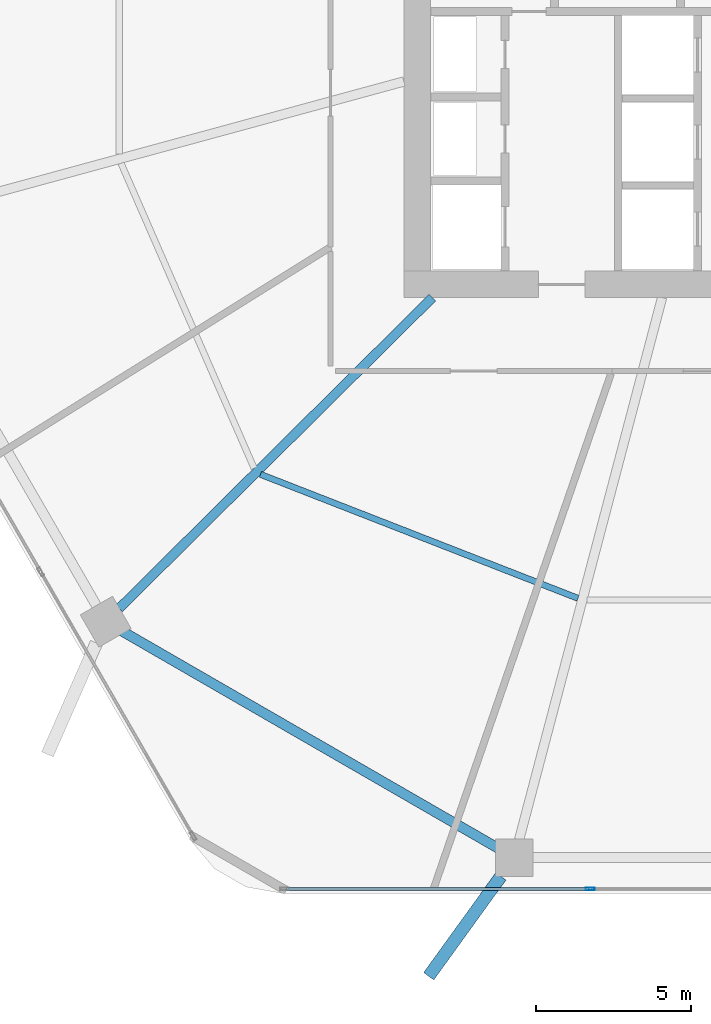
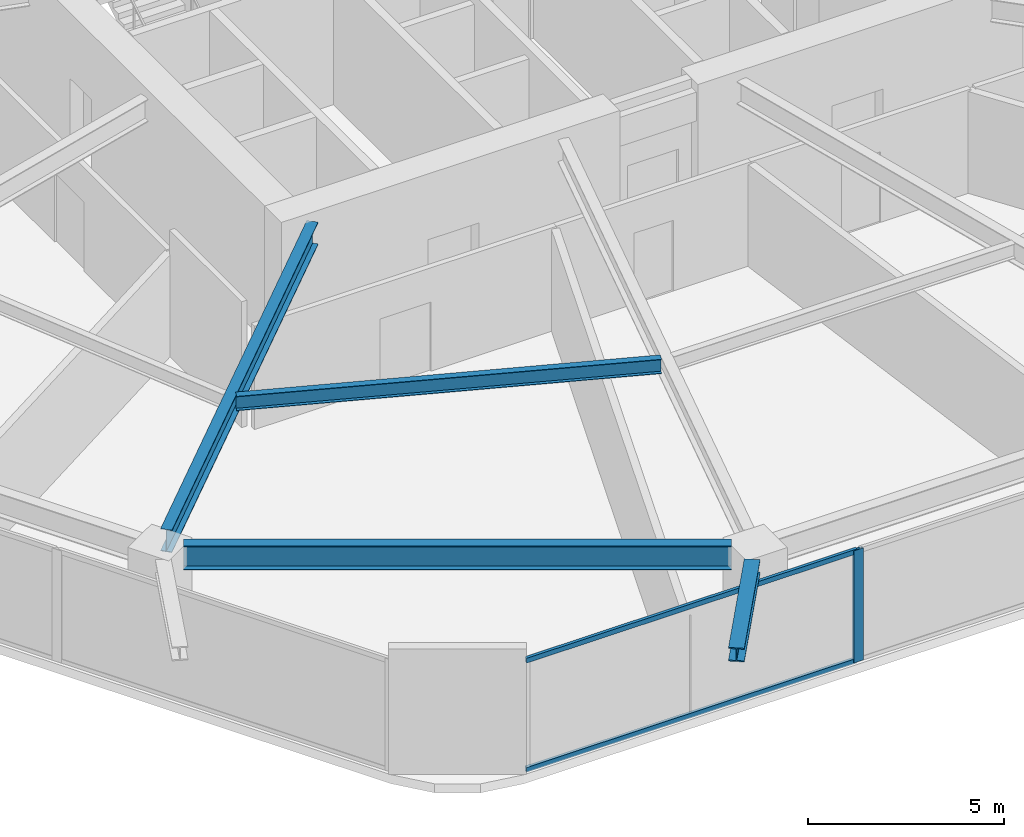
# One storey, part 3 of 25: 4 beams, 3 members, 1 element without a shape of its own.
"""IFC4 building model written with IfcOpenShell, lengths in metres."""

from ifc_helpers import new_model, si_unit, direction, frame, origin, origin_2d, place, context, subcontext, project, spatial, hollow_rectangle, i_section, extrude, material, material_profile, profile_set, type_object, element, aggregate, save


model = new_model("IFC4")

# Units and contexts
model_context = context("Model", 3, precision=1e-05, world=origin(), true_north=direction((0.0, 1.0)))
body_context = subcontext(model_context, "Body", "Model", "MODEL_VIEW")
ifc_project = project(units=[si_unit("LENGTHUNIT", "METRE"), si_unit("AREAUNIT", "SQUARE_METRE"), si_unit("VOLUMEUNIT", "CUBIC_METRE"), si_unit("PLANEANGLEUNIT", "RADIAN"), si_unit("MASSUNIT", "GRAM", prefix="KILO")], contexts=[model_context])

# Site, building, storey
site_placement = place(None, origin())
site = spatial("IfcSite", under=ifc_project, at=site_placement, CompositionType="ELEMENT")
building_placement = place(site_placement, origin())
building = spatial("IfcBuilding", under=site, at=building_placement, Name="Zuhravey Tower", CompositionType="ELEMENT")
storey_placement = place(building_placement, frame((0.0, 0.0, 20.39990234375)))
storey = spatial("IfcBuildingStorey", under=building, at=storey_placement, Name="L05", CompositionType="ELEMENT", Elevation=20.39990234375)

# Curtain wall, members
ifc_material_1 = material(Name="Thermally broken anodised aluminium", Category="aluminium")
curtain_wall_type = type_object("IfcCurtainWallType", Name="School Low-E Unitised Curtain Wall CW1", PredefinedType="NOTDEFINED", material=ifc_material_1)
curtain_wall_placement = place(storey_placement, origin())
curtain_wall = element("IfcCurtainWall", 1, at=curtain_wall_placement, inside=storey, type_object=curtain_wall_type, Name="L05 CW1 CW-L05-F5-1", PredefinedType="NOTDEFINED")
ifc_material_2 = material(Name="Anodised aluminium", Category="aluminium")
ifc_material_profile_1 = material_profile(ifc_material_2, hollow_rectangle(XDim=0.090087890625, YDim=0.284912109375, WallThickness=0.0048828125, at=origin_2d()), Name="ALU-RHS-90x285x5")
ifc_profile_set_1 = profile_set([ifc_material_profile_1], Name="Anodised aluminium")
member_type_1 = type_object("IfcMemberType", Name="Curtain-Wall Mullion 90x180", PredefinedType="MULLION", material=ifc_profile_set_1)
member_1_placement = place(storey_placement, frame((31.06689453125, 3.04150390625, 0.0), z_axis=(0.0, 0.0, 1.0), x_axis=(0.0, -1.0, 0.0)))
member_1 = element("IfcMember", 2, at=member_1_placement, type_object=member_type_1, Name="CW1 mullion 3", PredefinedType="MULLION", context=body_context, shape_type="SweptSolid", body=[
    extrude(hollow_rectangle(XDim=0.090087890625, YDim=0.284912109375, WallThickness=0.0048828125, at=origin_2d()), origin(), (0.0, 0.0, 1.0), 3.4921875),
])
ifc_material_profile_2 = material_profile(ifc_material_2, hollow_rectangle(XDim=0.090087890625, YDim=0.14990234375, WallThickness=0.0048828125, at=origin_2d()), Name="ALU-RHS-90x150x5")
ifc_profile_set_2 = profile_set([ifc_material_profile_2], Name="Anodised aluminium")
member_type_2 = type_object("IfcMemberType", Name="Curtain-Wall Transom 90x150", PredefinedType="USERDEFINED", material=ifc_profile_set_2)
member_2_placement = place(storey_placement, frame((31.021728515625, 3.04150390625, 0.045166015625), z_axis=(-1.0, 0.0, 0.0), x_axis=(0.0, -1.0, 0.0)))
member_2 = element("IfcMember", 3, at=member_2_placement, type_object=member_type_2, Name="CW1 transom 3.1", ObjectType="TRANSOM", PredefinedType="USERDEFINED", context=body_context, shape_type="SweptSolid", body=[
    extrude(hollow_rectangle(XDim=0.090087890625, YDim=0.14990234375, WallThickness=0.0048828125, at=origin_2d()), origin(), (0.0, 0.0, 1.0), 9.731201171875),
])
member_3_placement = place(storey_placement, frame((31.021728515625, 3.04150390625, 3.447021484375), z_axis=(-1.0, 0.0, 0.0), x_axis=(0.0, -1.0, 0.0)))
member_3 = element("IfcMember", 4, at=member_3_placement, type_object=member_type_2, Name="CW1 transom 3.2", ObjectType="TRANSOM", PredefinedType="USERDEFINED", context=body_context, shape_type="SweptSolid", body=[
    extrude(hollow_rectangle(XDim=0.090087890625, YDim=0.14990234375, WallThickness=0.0048828125, at=origin_2d()), origin(), (0.0, 0.0, 1.0), 9.731201171875),
])
aggregate(curtain_wall, [member_1, member_2, member_3])

# Beams
ifc_material_3 = material(Name="Steel SM460", Category="steel")
ifc_material_profile_3 = material_profile(ifc_material_3, i_section(OverallWidth=0.406982421875, OverallDepth=0.427978515625, WebThickness=0.02001953125, FlangeThickness=0.034912109375, at=origin_2d()), Name="H-428x407x20x35")
ifc_profile_set_3 = profile_set([ifc_material_profile_3], Name="Steel SM460")
beam_type_1 = type_object("IfcBeamType", Name="Exoskeleton Node Tie Beam H428x407", PredefinedType="BEAM", material=ifc_profile_set_3)
beam_1_placement = place(storey_placement, frame((28.1943359375, 3.4482421875, 3.7060546875), z_axis=(-0.585591698188, -0.810606170105, 0.0), x_axis=(0.810606170105, -0.585591698188, 0.0)))
element("IfcBeam", 5, at=beam_1_placement, inside=storey, type_object=beam_type_1, Name="L05 Exoskeleton Node Tie NT1-09", PredefinedType="BEAM", context=body_context, shape_type="SweptSolid", body=[
    extrude(i_section(OverallWidth=0.406982421875, OverallDepth=0.427978515625, WebThickness=0.02001953125, FlangeThickness=0.034912109375, at=origin_2d()), origin(), (0.0, 0.0, 1.0), 3.965576171875),
])
ifc_material_4 = material(Name="Steel SM355", Category="steel")
ifc_material_profile_4 = material_profile(ifc_material_4, i_section(OverallWidth=0.320068359375, OverallDepth=0.75, WebThickness=0.013916015625, FlangeThickness=0.02490234375, at=origin_2d()), Name="H-750x320x14x25")
ifc_profile_set_4 = profile_set([ifc_material_profile_4], Name="Steel SM355")
beam_type_2 = type_object("IfcBeamType", Name="Perimeter Ring Beam H750x320", PredefinedType="BEAM", material=ifc_profile_set_4)
beam_2_placement = place(storey_placement, frame((16.003173828125, 11.341552734375, 3.545166015625), z_axis=(0.866029969761, -0.499992091414, 0.0), x_axis=(0.499992091414, 0.866029969761, 0.0)))
element("IfcBeam", 6, at=beam_2_placement, inside=storey, type_object=beam_type_2, Name="L05 PB1 BM-L05-PB-08", PredefinedType="BEAM", context=body_context, shape_type="SweptSolid", body=[
    extrude(i_section(OverallWidth=0.320068359375, OverallDepth=0.75, WebThickness=0.013916015625, FlangeThickness=0.02490234375, at=origin_2d()), origin(), (0.0, 0.0, 1.0), 13.977294921875),
])
ifc_material_profile_5 = material_profile(ifc_material_4, i_section(OverallWidth=0.300048828125, OverallDepth=0.699951171875, WebThickness=0.012939453125, FlangeThickness=0.02392578125, at=origin_2d()), Name="H-700x300x13x24")
ifc_profile_set_5 = profile_set([ifc_material_profile_5], Name="Steel SM355")
beam_type_3 = type_object("IfcBeamType", Name="Radial Primary Girder H700x300", PredefinedType="BEAM", material=ifc_profile_set_5)
beam_3_placement = place(storey_placement, frame((25.992919921875, 22.072021484375, 3.570068359375), z_axis=(-0.709902823282, -0.704299639, 0.0), x_axis=(0.704299639, -0.709902823282, 0.0)))
element("IfcBeam", 7, at=beam_3_placement, inside=storey, type_object=beam_type_3, Name="L05 RG1 BM-L05-RAD-08", PredefinedType="BEAM", context=body_context, shape_type="SweptSolid", body=[
    extrude(i_section(OverallWidth=0.300048828125, OverallDepth=0.699951171875, WebThickness=0.012939453125, FlangeThickness=0.02392578125, at=origin_2d()), origin(), (0.0, 0.0, 1.0), 14.204345703125),
])
ifc_material_profile_6 = material_profile(ifc_material_4, i_section(OverallWidth=0.199951171875, OverallDepth=0.449951171875, WebThickness=0.009033203125, FlangeThickness=0.013916015625, at=origin_2d()), Name="H-450x200x9x14")
ifc_profile_set_6 = profile_set([ifc_material_profile_6], Name="Steel SM355")
beam_type_4 = type_object("IfcBeamType", Name="Secondary Floor Joist H450x200", PredefinedType="JOIST", material=ifc_profile_set_6)
beam_4_placement = place(storey_placement, frame((20.4599609375, 16.38427734375, 3.695068359375), z_axis=(0.931516535886, -0.363698973562, 0.0), x_axis=(0.363698973562, 0.931516535886, 0.0)))
element("IfcBeam", 8, at=beam_4_placement, inside=storey, type_object=beam_type_4, Name="L05 SJ1 BM-L05-SJ-08-1", PredefinedType="JOIST", context=body_context, shape_type="SweptSolid", body=[
    extrude(i_section(OverallWidth=0.199951171875, OverallDepth=0.449951171875, WebThickness=0.009033203125, FlangeThickness=0.013916015625, at=origin_2d()), origin(), (0.0, 0.0, 1.0), 10.963134765625),
])

save(model, "model.ifc")
